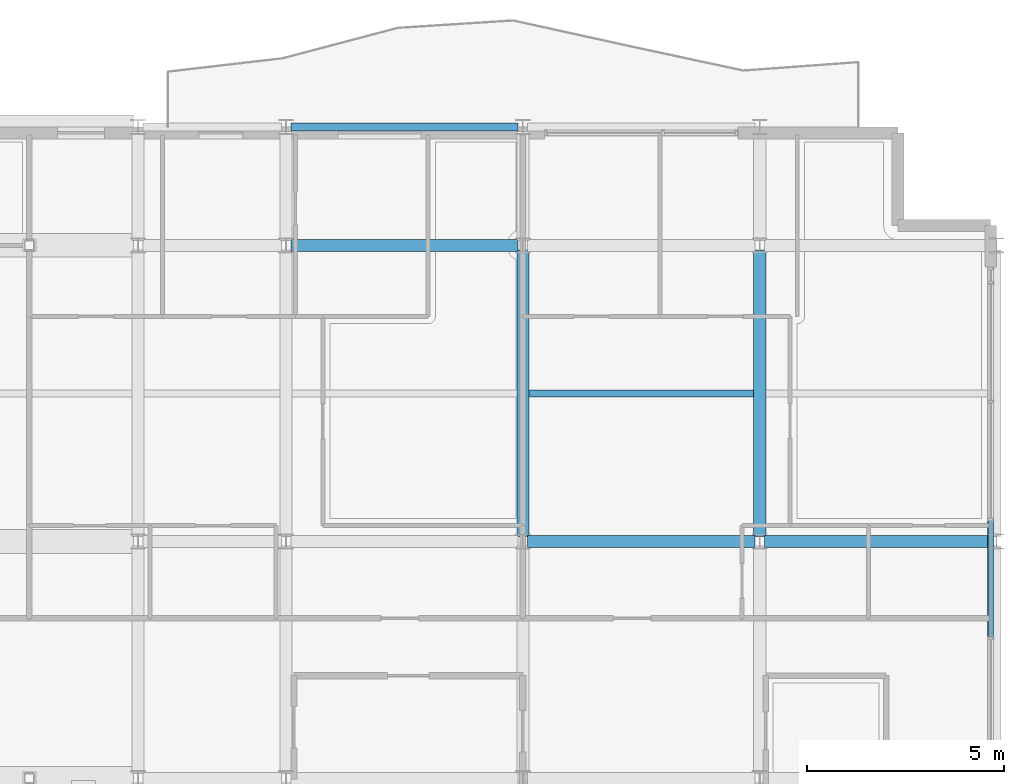
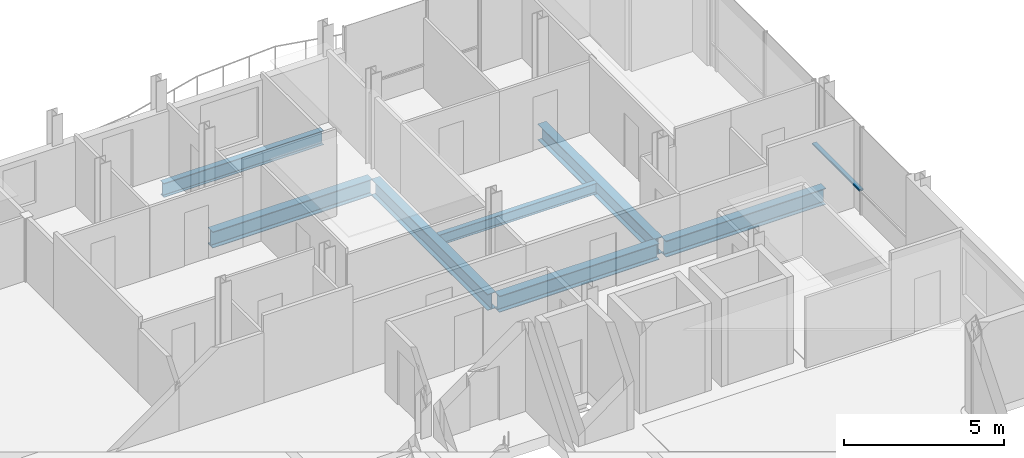
# One storey, part 17 of 35: 7 beams, 1 member, 1 element without a shape of its own.
"""IFC4 building model written with IfcOpenShell, lengths in metres."""

from ifc_helpers import new_model, si_unit, direction, frame, origin, origin_2d, place, context, subcontext, project, spatial, hollow_rectangle, i_section, extrude, material, layer, layer_set, material_profile, profile_set, type_object, element, aggregate, save


model = new_model("IFC4")

# Units and contexts
model_context = context("Model", 3, precision=1e-05, world=origin(), true_north=direction((0.0, 1.0)))
body_context = subcontext(model_context, "Body", "Model", "MODEL_VIEW")
ifc_project = project(units=[si_unit("LENGTHUNIT", "METRE"), si_unit("AREAUNIT", "SQUARE_METRE"), si_unit("VOLUMEUNIT", "CUBIC_METRE"), si_unit("PLANEANGLEUNIT", "RADIAN"), si_unit("MASSUNIT", "GRAM", prefix="KILO")], contexts=[model_context])

# Site, building, storey
site_placement = place(None, origin())
site = spatial("IfcSite", under=ifc_project, at=site_placement, CompositionType="ELEMENT")
building_placement = place(site_placement, origin())
building = spatial("IfcBuilding", under=site, at=building_placement, Name="Brevholm Reach", CompositionType="ELEMENT")
storey_placement = place(building_placement, frame((0.0, 0.0, 214.39990234375)))
storey = spatial("IfcBuildingStorey", under=building, at=storey_placement, Name="L65", CompositionType="ELEMENT", Elevation=214.39990234375)

# Beams
ifc_material_1 = material(Name="Structural Steel S355J2", Category="steel")
ifc_material_profile_1 = material_profile(ifc_material_1, i_section(OverallWidth=0.177978515625, OverallDepth=0.406494140625, WebThickness=0.0078125, FlangeThickness=0.0126953125, FilletRadius=0.01025390625, at=origin_2d()), Name="UKB 406x178x60")
ifc_profile_set_1 = profile_set([ifc_material_profile_1], Name="Structural Steel S355J2")
beam_type_1 = type_object("IfcBeamType", Name="BM-B406", PredefinedType="BEAM", material=ifc_profile_set_1)
beam_1_placement = place(storey_placement, frame((48.153564453125, 19.75, -0.623046875), z_axis=(1.0, 0.0, 0.0), x_axis=(0.0, 1.0, 0.0)))
element("IfcBeam", 1, at=beam_1_placement, inside=storey, type_object=beam_type_1, Name="L65 Composite Secondary Floor Beam", PredefinedType="BEAM", context=body_context, shape_type="SweptSolid", body=[
    extrude(i_section(OverallWidth=0.177978515625, OverallDepth=0.406494140625, WebThickness=0.0078125, FlangeThickness=0.0126953125, FilletRadius=0.01025390625, at=origin_2d()), origin(), (0.0, 0.0, 1.0), 5.69287109375),
])
ifc_material_2 = material(Name="Structural Steel S355J2", Category="steel")
ifc_material_profile_2 = material_profile(ifc_material_2, i_section(OverallWidth=0.210693359375, OverallDepth=0.53955078125, WebThickness=0.01171875, FlangeThickness=0.018798828125, FilletRadius=0.0126953125, at=origin_2d()), Name="UKB 533x210x109")
ifc_profile_set_2 = profile_set([ifc_material_profile_2], Name="Structural Steel S355J2")
beam_type_2 = type_object("IfcBeamType", Name="BM-SP539", PredefinedType="SPANDREL", material=ifc_profile_set_2)
beam_2_placement = place(storey_placement, frame((42.1201171875, 26.5, -0.689697265625), z_axis=(1.0, 0.0, 0.0), x_axis=(0.0, 1.0, 0.0)))
element("IfcBeam", 2, at=beam_2_placement, inside=storey, type_object=beam_type_2, Name="L65 SP-01B Framing Beam", PredefinedType="SPANDREL", context=body_context, shape_type="SweptSolid", body=[
    extrude(i_section(OverallWidth=0.210693359375, OverallDepth=0.53955078125, WebThickness=0.01171875, FlangeThickness=0.018798828125, FilletRadius=0.0126953125, at=origin_2d()), origin(), (0.0, 0.0, 1.0), 5.759765625),
])
ifc_material_3 = material(Name="Structural Steel S355J2", Category="steel")
ifc_material_profile_3 = material_profile(ifc_material_3, i_section(OverallWidth=0.30712890625, OverallDepth=0.6201171875, WebThickness=0.01416015625, FlangeThickness=0.023681640625, FilletRadius=0.0166015625, at=origin_2d()), Name="UKB 610x305x179")
ifc_profile_set_3 = profile_set([ifc_material_profile_3], Name="Structural Steel S355J2")
beam_type_3 = type_object("IfcBeamType", Name="BM-UKB610H", PredefinedType="USERDEFINED", material=ifc_profile_set_3)
for number, where, z_axis, x_axis, name in (
    (3, (48.1201171875, 16.0, -0.72998046875), (1.0, 0.0, 0.0), (0.0, 1.0, 0.0), "L65 G-06 Framing Beam"),
    (4, (54.1201171875, 16.0, -0.72998046875), (1.0, 0.0, 0.0), (0.0, 1.0, 0.0), "L65 G-06 Framing Beam"),
    (5, (42.1201171875, 23.5, -0.72998046875), (1.0, 0.0, 0.0), (0.0, 1.0, 0.0), "L65 G-06 Framing Beam"),
):
    element("IfcBeam", number, at=place(storey_placement, frame(where, z_axis=z_axis, x_axis=x_axis)), inside=storey, type_object=beam_type_3, Name=name, ObjectType="GIRDER", PredefinedType="USERDEFINED", context=body_context, shape_type="SweptSolid", body=[
        extrude(i_section(OverallWidth=0.30712890625, OverallDepth=0.6201171875, WebThickness=0.01416015625, FlangeThickness=0.023681640625, FilletRadius=0.0166015625, at=origin_2d()), origin(), (0.0, 0.0, 1.0), 5.759765625),
    ])
for number, where, z_axis, x_axis, name in (
    (6, (48.0, 16.1201171875, -0.72998046875), (0.0, 1.0, 0.0), (-1.0, 0.0, 0.0), "L65 G-06 Framing Beam"),
    (7, (54.0, 16.1201171875, -0.72998046875), (0.0, 1.0, 0.0), (-1.0, 0.0, 0.0), "L65 G-06 Framing Beam"),
):
    element("IfcBeam", number, at=place(storey_placement, frame(where, z_axis=z_axis, x_axis=x_axis)), inside=storey, type_object=beam_type_3, Name=name, ObjectType="GIRDER", PredefinedType="USERDEFINED", context=body_context, shape_type="SweptSolid", body=[
        extrude(i_section(OverallWidth=0.30712890625, OverallDepth=0.6201171875, WebThickness=0.01416015625, FlangeThickness=0.023681640625, FilletRadius=0.0166015625, at=origin_2d()), origin(), (0.0, 0.0, 1.0), 7.259765625),
    ])

# Curtain wall, member
ifc_material_4 = material(Name="Dark Anodised Aluminium 6063-T6 and Solar-Control Glass", Category="aluminium")
ifc_layer = layer(ifc_material_4, 0.14990234375)
ifc_layer_set = layer_set([ifc_layer], Name="Dark Anodised Aluminium 6063-T6 and Solar-Control Glass")
curtain_wall_type = type_object("IfcCurtainWallType", Name="CW-01", PredefinedType="NOTDEFINED", material=ifc_layer_set)
curtain_wall_placement = place(storey_placement, origin())
curtain_wall = element("IfcCurtainWall", 8, at=curtain_wall_placement, inside=storey, type_object=curtain_wall_type, Name="L65 Curtain Wall CW-01", PredefinedType="NOTDEFINED")
ifc_material_5 = material(Name="Dark Anodised Aluminium 6063-T6", Category="aluminium")
ifc_material_profile_4 = material_profile(ifc_material_5, hollow_rectangle(XDim=0.06494140625, YDim=0.14990234375, WallThickness=0.0048828125, InnerFilletRadius=0.0048828125, OuterFilletRadius=0.010009765625, at=origin_2d()), Name="RHS 150x65x5")
ifc_profile_set_4 = profile_set([ifc_material_profile_4], Name="Dark Anodised Aluminium 6063-T6")
member_type = type_object("IfcMemberType", Name="CWT-150", PredefinedType="NOTDEFINED", material=ifc_profile_set_4)
member_placement = place(storey_placement, frame((59.85009765625, 13.58251953125, 0.900146484375), z_axis=(0.0, 1.0, 0.0), x_axis=(0.0, 0.0, 1.0)))
member = element("IfcMember", 9, at=member_placement, type_object=member_type, Name="CT-150 Transom 2.1", ObjectType="TRANSOM", PredefinedType="USERDEFINED", context=body_context, shape_type="SweptSolid", body=[
    extrude(hollow_rectangle(XDim=0.06494140625, YDim=0.14990234375, WallThickness=0.0048828125, InnerFilletRadius=0.0048828125, OuterFilletRadius=0.010009765625, at=origin_2d()), origin(), (0.0, 0.0, 1.0), 2.93505859375),
])
aggregate(curtain_wall, [member])

save(model, "model.ifc")
